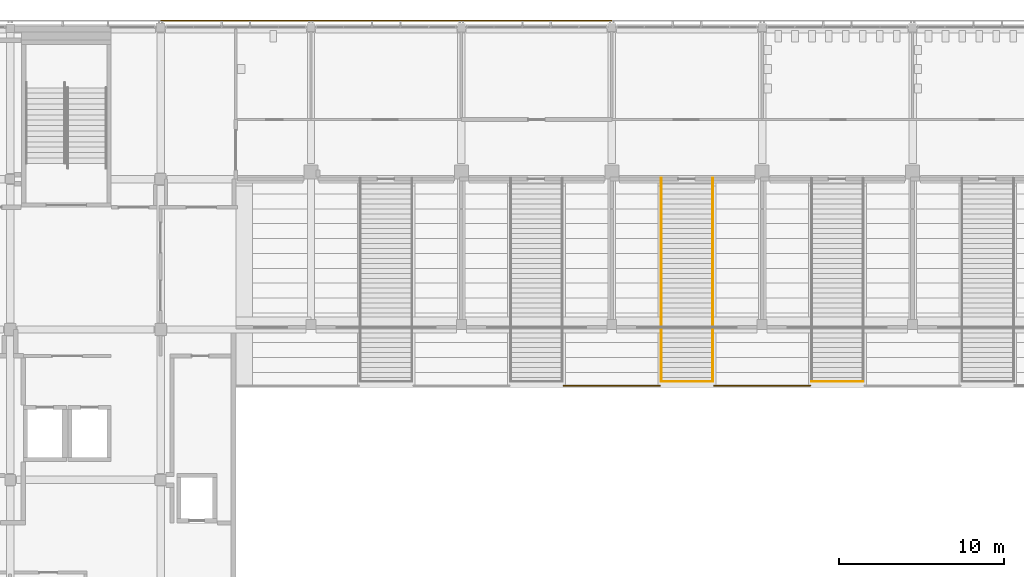
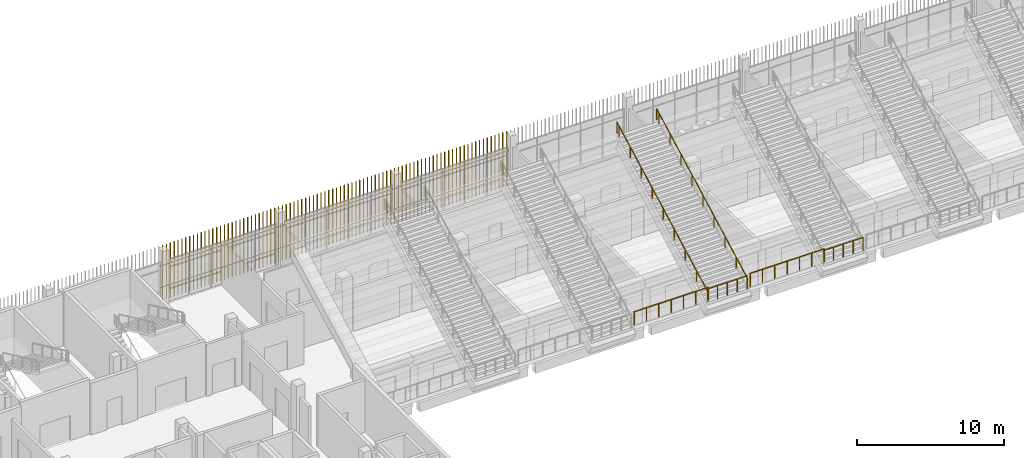
# One storey, part 126 of 139: 6 railings, 3 shading devices.
"""IFC4 building model written with IfcOpenShell, lengths in metres."""

from ifc_helpers import new_model, si_unit, direction, frame, origin, origin_2d, place, context, subcontext, project, spatial, rectangle, circle, extrude, material, type_object, element, save


model = new_model("IFC4")

# Units and contexts
model_context = context("Model", 3, precision=1e-05, world=origin(), true_north=direction((0.0, 1.0)))
body_context = subcontext(model_context, "Body", "Model", "MODEL_VIEW")
ifc_project = project(units=[si_unit("LENGTHUNIT", "METRE"), si_unit("AREAUNIT", "SQUARE_METRE"), si_unit("VOLUMEUNIT", "CUBIC_METRE"), si_unit("PLANEANGLEUNIT", "RADIAN"), si_unit("MASSUNIT", "GRAM", prefix="KILO")], contexts=[model_context])

# Site, building, storey
site_placement = place(None, origin())
site = spatial("IfcSite", under=ifc_project, at=site_placement, CompositionType="ELEMENT")
building_placement = place(site_placement, origin())
building = spatial("IfcBuilding", under=site, at=building_placement, Name="Shirokan Park Arena", CompositionType="ELEMENT")
storey_placement = place(building_placement, frame((0.0, 0.0, 15.469970703125)))
storey = spatial("IfcBuildingStorey", under=building, at=storey_placement, Name="L03", CompositionType="ELEMENT", Elevation=15.469970703125)

# Railings
ifc_material_1 = material(Name="Stainless steel", Category="steel")
railing_type_1 = type_object("IfcRailingType", Name="Aisle foot guard 1100", PredefinedType="GUARDRAIL", material=ifc_material_1)
railing_1_placement = place(storey_placement, frame((66.699951171875, 87.85009765625, 2.5400390625)))
element("IfcRailing", 1, at=railing_1_placement, inside=storey, type_object=railing_type_1, Name="Guard foot of vomitory stair N3 upper", PredefinedType="GUARDRAIL", context=body_context, shape_type="SweptSolid", body=[
    extrude(circle(Radius=0.02490234375, at=origin_2d()), frame((0.0, 0.0, 1.0771484375), z_axis=(1.0, 0.0, 0.0), x_axis=(0.0, 1.0, 0.0)), (0.0, 0.0, 1.0), 3.10009765625),
    extrude(circle(Radius=0.02490234375, at=origin_2d()), origin(), (0.0, 0.0, 1.0), 1.052001953125),
    extrude(circle(Radius=0.02490234375, at=origin_2d()), frame((0.77490234375, 0.0, 0.0)), (0.0, 0.0, 1.0), 1.052001953125),
    extrude(circle(Radius=0.02490234375, at=origin_2d()), frame((1.550048828125, 0.0, 0.0)), (0.0, 0.0, 1.0), 1.052001953125),
    extrude(circle(Radius=0.02490234375, at=origin_2d()), frame((2.3251953125, 0.0, 0.0)), (0.0, 0.0, 1.0), 1.052001953125),
    extrude(circle(Radius=0.02490234375, at=origin_2d()), frame((3.10009765625, 0.0, 0.0)), (0.0, 0.0, 1.0), 1.052001953125),
])
railing_2_placement = place(storey_placement, frame((75.800048828125, 87.85009765625, 2.5400390625)))
element("IfcRailing", 2, at=railing_2_placement, inside=storey, type_object=railing_type_1, Name="Guard foot of vomitory stair N4 upper", PredefinedType="GUARDRAIL", context=body_context, shape_type="SweptSolid", body=[
    extrude(circle(Radius=0.02490234375, at=origin_2d()), frame((0.0, 0.0, 1.0771484375), z_axis=(1.0, 0.0, 0.0), x_axis=(0.0, 1.0, 0.0)), (0.0, 0.0, 1.0), 3.099853515625),
    extrude(circle(Radius=0.02490234375, at=origin_2d()), origin(), (0.0, 0.0, 1.0), 1.052001953125),
    extrude(circle(Radius=0.02490234375, at=origin_2d()), frame((0.77490234375, 0.0, 0.0)), (0.0, 0.0, 1.0), 1.052001953125),
    extrude(circle(Radius=0.02490234375, at=origin_2d()), frame((1.5498046875, 0.0, 0.0)), (0.0, 0.0, 1.0), 1.052001953125),
    extrude(circle(Radius=0.02490234375, at=origin_2d()), frame((2.324951171875, 0.0, 0.0)), (0.0, 0.0, 1.0), 1.052001953125),
    extrude(circle(Radius=0.02490234375, at=origin_2d()), frame((3.099853515625, 0.0, 0.0)), (0.0, 0.0, 1.0), 1.052001953125),
])
railing_type_2 = type_object("IfcRailingType", Name="Aisle handrail 900", PredefinedType="HANDRAIL", material=ifc_material_1)
railing_3_placement = place(storey_placement, frame((66.68994140625, 87.85009765625, 2.5400390625)))
element("IfcRailing", 3, at=railing_3_placement, inside=storey, type_object=railing_type_2, Name="Handrail vomitory stair N3 upper", PredefinedType="HANDRAIL", context=body_context, shape_type="SweptSolid", body=[
    extrude(circle(Radius=0.02490234375, at=origin_2d()), frame((0.0, 0.0, 0.90185546875), z_axis=(0.0, 0.882341014787, 0.470610596591), x_axis=(-1.0, 0.0, 0.0)), (0.0, 0.0, 1.0), 1.699951171875),
    extrude(circle(Radius=0.02490234375, at=origin_2d()), frame((0.0, 1.5, 1.70166015625), z_axis=(0.0, 0.882341014787, 0.470610596591), x_axis=(-1.0, 0.0, 0.0)), (0.0, 0.0, 1.0), 1.699951171875),
    extrude(circle(Radius=0.02490234375, at=origin_2d()), frame((0.0, 3.0, 2.501953125), z_axis=(0.0, 0.88240064429, 0.470498781037), x_axis=(-1.0, 0.0, 0.0)), (0.0, 0.0, 1.0), 1.699951171875),
    extrude(circle(Radius=0.02490234375, at=origin_2d()), frame((0.0, 4.5, 3.3017578125), z_axis=(0.0, 0.882341014787, 0.470610596591), x_axis=(-1.0, 0.0, 0.0)), (0.0, 0.0, 1.0), 1.699951171875),
    extrude(circle(Radius=0.02490234375, at=origin_2d()), frame((0.0, 6.0, 4.1015625), z_axis=(0.0, 0.882341014787, 0.470610596591), x_axis=(-1.0, 0.0, 0.0)), (0.0, 0.0, 1.0), 1.699951171875),
    extrude(circle(Radius=0.02490234375, at=origin_2d()), frame((0.0, 7.5, 4.90185546875), z_axis=(0.0, 0.882341014787, 0.470610596591), x_axis=(-1.0, 0.0, 0.0)), (0.0, 0.0, 1.0), 1.699951171875),
    extrude(circle(Radius=0.02490234375, at=origin_2d()), frame((0.0, 9.0, 5.70166015625), z_axis=(0.0, 0.882341014787, 0.470610596591), x_axis=(-1.0, 0.0, 0.0)), (0.0, 0.0, 1.0), 1.699951171875),
    extrude(circle(Radius=0.02490234375, at=origin_2d()), frame((0.0, 10.5, 6.501953125), z_axis=(0.0, 0.88240064429, 0.470498781037), x_axis=(-1.0, 0.0, 0.0)), (0.0, 0.0, 1.0), 1.699951171875),
    extrude(circle(Radius=0.02490234375, at=origin_2d()), frame((0.0, 12.0, 7.3017578125), z_axis=(0.0, 0.882034613395, 0.471184614322), x_axis=(-1.0, 0.0, 0.0)), (0.0, 0.0, 1.0), 0.33984375),
    extrude(circle(Radius=0.02490234375, at=origin_2d()), origin(), (0.0, 0.0, 1.0), 0.876708984375),
    extrude(circle(Radius=0.02490234375, at=origin_2d()), frame((0.0, 1.5, 0.800048828125)), (0.0, 0.0, 1.0), 0.876708984375),
    extrude(circle(Radius=0.02490234375, at=origin_2d()), frame((0.0, 3.0, 1.60009765625)), (0.0, 0.0, 1.0), 0.876708984375),
    extrude(circle(Radius=0.02490234375, at=origin_2d()), frame((0.0, 4.5, 2.39990234375)), (0.0, 0.0, 1.0), 0.876708984375),
    extrude(circle(Radius=0.02490234375, at=origin_2d()), frame((0.0, 6.0, 3.199951171875)), (0.0, 0.0, 1.0), 0.876708984375),
    extrude(circle(Radius=0.02490234375, at=origin_2d()), frame((0.0, 7.5, 4.0)), (0.0, 0.0, 1.0), 0.876708984375),
    extrude(circle(Radius=0.02490234375, at=origin_2d()), frame((0.0, 9.0, 4.800048828125)), (0.0, 0.0, 1.0), 0.876708984375),
    extrude(circle(Radius=0.02490234375, at=origin_2d()), frame((0.0, 10.5, 5.60009765625)), (0.0, 0.0, 1.0), 0.876708984375),
    extrude(circle(Radius=0.02490234375, at=origin_2d()), frame((0.0, 12.0, 6.39990234375)), (0.0, 0.0, 1.0), 0.876708984375),
    extrude(circle(Radius=0.02490234375, at=origin_2d()), frame((0.0, 12.2998046875, 6.56005859375)), (0.0, 0.0, 1.0), 0.876708984375),
])
railing_4_placement = place(storey_placement, frame((69.81005859375, 87.85009765625, 2.5400390625)))
element("IfcRailing", 4, at=railing_4_placement, inside=storey, type_object=railing_type_2, Name="Handrail vomitory stair N3 upper", PredefinedType="HANDRAIL", context=body_context, shape_type="SweptSolid", body=[
    extrude(circle(Radius=0.02490234375, at=origin_2d()), frame((0.0, 0.0, 0.90185546875), z_axis=(0.0, 0.882341014787, 0.470610596591), x_axis=(-1.0, 0.0, 0.0)), (0.0, 0.0, 1.0), 1.699951171875),
    extrude(circle(Radius=0.02490234375, at=origin_2d()), frame((0.0, 1.5, 1.70166015625), z_axis=(0.0, 0.882341014787, 0.470610596591), x_axis=(-1.0, 0.0, 0.0)), (0.0, 0.0, 1.0), 1.699951171875),
    extrude(circle(Radius=0.02490234375, at=origin_2d()), frame((0.0, 3.0, 2.501953125), z_axis=(0.0, 0.88240064429, 0.470498781037), x_axis=(-1.0, 0.0, 0.0)), (0.0, 0.0, 1.0), 1.699951171875),
    extrude(circle(Radius=0.02490234375, at=origin_2d()), frame((0.0, 4.5, 3.3017578125), z_axis=(0.0, 0.882341014787, 0.470610596591), x_axis=(-1.0, 0.0, 0.0)), (0.0, 0.0, 1.0), 1.699951171875),
    extrude(circle(Radius=0.02490234375, at=origin_2d()), frame((0.0, 6.0, 4.1015625), z_axis=(0.0, 0.882341014787, 0.470610596591), x_axis=(-1.0, 0.0, 0.0)), (0.0, 0.0, 1.0), 1.699951171875),
    extrude(circle(Radius=0.02490234375, at=origin_2d()), frame((0.0, 7.5, 4.90185546875), z_axis=(0.0, 0.882341014787, 0.470610596591), x_axis=(-1.0, 0.0, 0.0)), (0.0, 0.0, 1.0), 1.699951171875),
    extrude(circle(Radius=0.02490234375, at=origin_2d()), frame((0.0, 9.0, 5.70166015625), z_axis=(0.0, 0.882341014787, 0.470610596591), x_axis=(-1.0, 0.0, 0.0)), (0.0, 0.0, 1.0), 1.699951171875),
    extrude(circle(Radius=0.02490234375, at=origin_2d()), frame((0.0, 10.5, 6.501953125), z_axis=(0.0, 0.88240064429, 0.470498781037), x_axis=(-1.0, 0.0, 0.0)), (0.0, 0.0, 1.0), 1.699951171875),
    extrude(circle(Radius=0.02490234375, at=origin_2d()), frame((0.0, 12.0, 7.3017578125), z_axis=(0.0, 0.882034613395, 0.471184614322), x_axis=(-1.0, 0.0, 0.0)), (0.0, 0.0, 1.0), 0.33984375),
    extrude(circle(Radius=0.02490234375, at=origin_2d()), origin(), (0.0, 0.0, 1.0), 0.876708984375),
    extrude(circle(Radius=0.02490234375, at=origin_2d()), frame((0.0, 1.5, 0.800048828125)), (0.0, 0.0, 1.0), 0.876708984375),
    extrude(circle(Radius=0.02490234375, at=origin_2d()), frame((0.0, 3.0, 1.60009765625)), (0.0, 0.0, 1.0), 0.876708984375),
    extrude(circle(Radius=0.02490234375, at=origin_2d()), frame((0.0, 4.5, 2.39990234375)), (0.0, 0.0, 1.0), 0.876708984375),
    extrude(circle(Radius=0.02490234375, at=origin_2d()), frame((0.0, 6.0, 3.199951171875)), (0.0, 0.0, 1.0), 0.876708984375),
    extrude(circle(Radius=0.02490234375, at=origin_2d()), frame((0.0, 7.5, 4.0)), (0.0, 0.0, 1.0), 0.876708984375),
    extrude(circle(Radius=0.02490234375, at=origin_2d()), frame((0.0, 9.0, 4.800048828125)), (0.0, 0.0, 1.0), 0.876708984375),
    extrude(circle(Radius=0.02490234375, at=origin_2d()), frame((0.0, 10.5, 5.60009765625)), (0.0, 0.0, 1.0), 0.876708984375),
    extrude(circle(Radius=0.02490234375, at=origin_2d()), frame((0.0, 12.0, 6.39990234375)), (0.0, 0.0, 1.0), 0.876708984375),
    extrude(circle(Radius=0.02490234375, at=origin_2d()), frame((0.0, 12.2998046875, 6.56005859375)), (0.0, 0.0, 1.0), 0.876708984375),
])
railing_type_3 = type_object("IfcRailingType", Name="Crowd barrier 1100", PredefinedType="GUARDRAIL", material=ifc_material_1)
for number, where, name in (
    (5, (60.800048828125, 87.60009765625, 2.860107421875), "Crowd barrier N3 upper tier"),
    (6, (69.89990234375, 87.60009765625, 2.860107421875), "Crowd barrier N4 upper tier"),
):
    element("IfcRailing", number, at=place(storey_placement, frame(where)), inside=storey, type_object=railing_type_3, Name=name, PredefinedType="GUARDRAIL", context=body_context, shape_type="SweptSolid", body=[
        extrude(circle(Radius=0.030029296875, at=origin_2d()), frame((0.0, 0.0, 1.072021484375), z_axis=(1.0, 0.0, 0.0), x_axis=(0.0, 1.0, 0.0)), (0.0, 0.0, 1.0), 5.800048828125),
        extrude(circle(Radius=0.030029296875, at=origin_2d()), origin(), (0.0, 0.0, 1.0), 1.0419921875),
        extrude(circle(Radius=0.030029296875, at=origin_2d()), frame((0.966796875, 0.0, 0.0)), (0.0, 0.0, 1.0), 1.0419921875),
        extrude(circle(Radius=0.030029296875, at=origin_2d()), frame((1.933349609375, 0.0, 0.0)), (0.0, 0.0, 1.0), 1.0419921875),
        extrude(circle(Radius=0.030029296875, at=origin_2d()), frame((2.89990234375, 0.0, 0.0)), (0.0, 0.0, 1.0), 1.0419921875),
        extrude(circle(Radius=0.030029296875, at=origin_2d()), frame((3.86669921875, 0.0, 0.0)), (0.0, 0.0, 1.0), 1.0419921875),
        extrude(circle(Radius=0.030029296875, at=origin_2d()), frame((4.83349609375, 0.0, 0.0)), (0.0, 0.0, 1.0), 1.0419921875),
        extrude(circle(Radius=0.030029296875, at=origin_2d()), frame((5.800048828125, 0.0, 0.0)), (0.0, 0.0, 1.0), 1.0419921875),
    ])

# Shading devices
ifc_material_2 = material(Name="Timber louvre veil (cedar)", Category="wood")
shading_device_type = type_object("IfcShadingDeviceType", Name="Timber louvre veil panel", PredefinedType="JALOUSIE", material=ifc_material_2)
shading_device_1_placement = place(storey_placement, origin())
element("IfcShadingDevice", 7, at=shading_device_1_placement, inside=storey, type_object=shading_device_type, Name="Timber louvre veil north bay 10 L03", PredefinedType="JALOUSIE", context=body_context, shape_type="SweptSolid", body=[
    extrude(rectangle(XDim=0.050048828125, YDim=0.080078125, at=origin_2d()), frame((63.54833984375, 109.68505859375, 0.0), z_axis=(0.0, 0.0, 1.0), x_axis=(-1.0, 0.0, 0.0)), (0.0, 0.0, 1.0), 4.550048828125),
    extrude(rectangle(XDim=0.050048828125, YDim=0.080078125, at=origin_2d()), frame((63.2451171875, 109.68505859375, 0.0), z_axis=(0.0, 0.0, 1.0), x_axis=(-1.0, 0.0, 0.0)), (0.0, 0.0, 1.0), 4.550048828125),
    extrude(rectangle(XDim=0.050048828125, YDim=0.080078125, at=origin_2d()), frame((62.941650390625, 109.68505859375, 0.0), z_axis=(0.0, 0.0, 1.0), x_axis=(-1.0, 0.0, 0.0)), (0.0, 0.0, 1.0), 4.550048828125),
    extrude(rectangle(XDim=0.050048828125, YDim=0.080078125, at=origin_2d()), frame((62.638427734375, 109.68505859375, 0.0), z_axis=(0.0, 0.0, 1.0), x_axis=(-1.0, 0.0, 0.0)), (0.0, 0.0, 1.0), 4.550048828125),
    extrude(rectangle(XDim=0.050048828125, YDim=0.080078125, at=origin_2d()), frame((62.3349609375, 109.68505859375, 0.0), z_axis=(0.0, 0.0, 1.0), x_axis=(-1.0, 0.0, 0.0)), (0.0, 0.0, 1.0), 4.550048828125),
    extrude(rectangle(XDim=0.050048828125, YDim=0.080078125, at=origin_2d()), frame((62.03173828125, 109.68505859375, 0.0), z_axis=(0.0, 0.0, 1.0), x_axis=(-1.0, 0.0, 0.0)), (0.0, 0.0, 1.0), 4.550048828125),
    extrude(rectangle(XDim=0.050048828125, YDim=0.080078125, at=origin_2d()), frame((61.728271484375, 109.68505859375, 0.0), z_axis=(0.0, 0.0, 1.0), x_axis=(-1.0, 0.0, 0.0)), (0.0, 0.0, 1.0), 4.550048828125),
    extrude(rectangle(XDim=0.050048828125, YDim=0.080078125, at=origin_2d()), frame((61.425048828125, 109.68505859375, 0.0), z_axis=(0.0, 0.0, 1.0), x_axis=(-1.0, 0.0, 0.0)), (0.0, 0.0, 1.0), 4.550048828125),
    extrude(rectangle(XDim=0.050048828125, YDim=0.080078125, at=origin_2d()), frame((61.12158203125, 109.68505859375, 0.0), z_axis=(0.0, 0.0, 1.0), x_axis=(-1.0, 0.0, 0.0)), (0.0, 0.0, 1.0), 4.550048828125),
    extrude(rectangle(XDim=0.050048828125, YDim=0.080078125, at=origin_2d()), frame((60.818359375, 109.68505859375, 0.0), z_axis=(0.0, 0.0, 1.0), x_axis=(-1.0, 0.0, 0.0)), (0.0, 0.0, 1.0), 4.550048828125),
    extrude(rectangle(XDim=0.050048828125, YDim=0.080078125, at=origin_2d()), frame((60.514892578125, 109.68505859375, 0.0), z_axis=(0.0, 0.0, 1.0), x_axis=(-1.0, 0.0, 0.0)), (0.0, 0.0, 1.0), 4.550048828125),
    extrude(rectangle(XDim=0.050048828125, YDim=0.080078125, at=origin_2d()), frame((60.211669921875, 109.68505859375, 0.0), z_axis=(0.0, 0.0, 1.0), x_axis=(-1.0, 0.0, 0.0)), (0.0, 0.0, 1.0), 4.550048828125),
    extrude(rectangle(XDim=0.050048828125, YDim=0.080078125, at=origin_2d()), frame((59.908447265625, 109.68505859375, 0.0), z_axis=(0.0, 0.0, 1.0), x_axis=(-1.0, 0.0, 0.0)), (0.0, 0.0, 1.0), 4.550048828125),
    extrude(rectangle(XDim=0.050048828125, YDim=0.080078125, at=origin_2d()), frame((59.60498046875, 109.68505859375, 0.0), z_axis=(0.0, 0.0, 1.0), x_axis=(-1.0, 0.0, 0.0)), (0.0, 0.0, 1.0), 4.550048828125),
    extrude(rectangle(XDim=0.050048828125, YDim=0.080078125, at=origin_2d()), frame((59.3017578125, 109.68505859375, 0.0), z_axis=(0.0, 0.0, 1.0), x_axis=(-1.0, 0.0, 0.0)), (0.0, 0.0, 1.0), 4.550048828125),
    extrude(rectangle(XDim=0.050048828125, YDim=0.080078125, at=origin_2d()), frame((58.998291015625, 109.68505859375, 0.0), z_axis=(0.0, 0.0, 1.0), x_axis=(-1.0, 0.0, 0.0)), (0.0, 0.0, 1.0), 4.550048828125),
    extrude(rectangle(XDim=0.050048828125, YDim=0.080078125, at=origin_2d()), frame((58.695068359375, 109.68505859375, 0.0), z_axis=(0.0, 0.0, 1.0), x_axis=(-1.0, 0.0, 0.0)), (0.0, 0.0, 1.0), 4.550048828125),
    extrude(rectangle(XDim=0.050048828125, YDim=0.080078125, at=origin_2d()), frame((58.3916015625, 109.68505859375, 0.0), z_axis=(0.0, 0.0, 1.0), x_axis=(-1.0, 0.0, 0.0)), (0.0, 0.0, 1.0), 4.550048828125),
    extrude(rectangle(XDim=0.050048828125, YDim=0.080078125, at=origin_2d()), frame((58.08837890625, 109.68505859375, 0.0), z_axis=(0.0, 0.0, 1.0), x_axis=(-1.0, 0.0, 0.0)), (0.0, 0.0, 1.0), 4.550048828125),
    extrude(rectangle(XDim=0.050048828125, YDim=0.080078125, at=origin_2d()), frame((57.784912109375, 109.68505859375, 0.0), z_axis=(0.0, 0.0, 1.0), x_axis=(-1.0, 0.0, 0.0)), (0.0, 0.0, 1.0), 4.550048828125),
    extrude(rectangle(XDim=0.050048828125, YDim=0.080078125, at=origin_2d()), frame((57.481689453125, 109.68505859375, 0.0), z_axis=(0.0, 0.0, 1.0), x_axis=(-1.0, 0.0, 0.0)), (0.0, 0.0, 1.0), 4.550048828125),
    extrude(rectangle(XDim=0.050048828125, YDim=0.080078125, at=origin_2d()), frame((57.17822265625, 109.68505859375, 0.0), z_axis=(0.0, 0.0, 1.0), x_axis=(-1.0, 0.0, 0.0)), (0.0, 0.0, 1.0), 4.550048828125),
    extrude(rectangle(XDim=0.050048828125, YDim=0.080078125, at=origin_2d()), frame((56.875, 109.68505859375, 0.0), z_axis=(0.0, 0.0, 1.0), x_axis=(-1.0, 0.0, 0.0)), (0.0, 0.0, 1.0), 4.550048828125),
    extrude(rectangle(XDim=0.050048828125, YDim=0.080078125, at=origin_2d()), frame((56.57177734375, 109.68505859375, 0.0), z_axis=(0.0, 0.0, 1.0), x_axis=(-1.0, 0.0, 0.0)), (0.0, 0.0, 1.0), 4.550048828125),
    extrude(rectangle(XDim=0.050048828125, YDim=0.080078125, at=origin_2d()), frame((56.268310546875, 109.68505859375, 0.0), z_axis=(0.0, 0.0, 1.0), x_axis=(-1.0, 0.0, 0.0)), (0.0, 0.0, 1.0), 4.550048828125),
    extrude(rectangle(XDim=0.050048828125, YDim=0.080078125, at=origin_2d()), frame((55.965087890625, 109.68505859375, 0.0), z_axis=(0.0, 0.0, 1.0), x_axis=(-1.0, 0.0, 0.0)), (0.0, 0.0, 1.0), 4.550048828125),
    extrude(rectangle(XDim=0.050048828125, YDim=0.080078125, at=origin_2d()), frame((55.66162109375, 109.68505859375, 0.0), z_axis=(0.0, 0.0, 1.0), x_axis=(-1.0, 0.0, 0.0)), (0.0, 0.0, 1.0), 4.550048828125),
    extrude(rectangle(XDim=0.050048828125, YDim=0.080078125, at=origin_2d()), frame((55.3583984375, 109.68505859375, 0.0), z_axis=(0.0, 0.0, 1.0), x_axis=(-1.0, 0.0, 0.0)), (0.0, 0.0, 1.0), 4.550048828125),
    extrude(rectangle(XDim=0.050048828125, YDim=0.080078125, at=origin_2d()), frame((55.054931640625, 109.68505859375, 0.0), z_axis=(0.0, 0.0, 1.0), x_axis=(-1.0, 0.0, 0.0)), (0.0, 0.0, 1.0), 4.550048828125),
    extrude(rectangle(XDim=0.050048828125, YDim=0.080078125, at=origin_2d()), frame((54.751708984375, 109.68505859375, 0.0), z_axis=(0.0, 0.0, 1.0), x_axis=(-1.0, 0.0, 0.0)), (0.0, 0.0, 1.0), 4.550048828125),
    extrude(rectangle(XDim=9.10009765625, YDim=0.050048828125, at=origin_2d()), frame((59.14990234375, 109.669921875, 1.06005859375), z_axis=(0.0, 0.0, 1.0), x_axis=(-1.0, 0.0, 0.0)), (0.0, 0.0, 1.0), 0.080078125),
    extrude(rectangle(XDim=9.10009765625, YDim=0.050048828125, at=origin_2d()), frame((59.14990234375, 109.669921875, 2.860107421875), z_axis=(0.0, 0.0, 1.0), x_axis=(-1.0, 0.0, 0.0)), (0.0, 0.0, 1.0), 0.080078125),
])
shading_device_2_placement = place(storey_placement, origin())
element("IfcShadingDevice", 8, at=shading_device_2_placement, inside=storey, type_object=shading_device_type, Name="Timber louvre veil north bay 11 L03", PredefinedType="JALOUSIE", context=body_context, shape_type="SweptSolid", body=[
    extrude(rectangle(XDim=0.050048828125, YDim=0.080078125, at=origin_2d()), frame((54.4482421875, 109.68505859375, 0.0), z_axis=(0.0, 0.0, 1.0), x_axis=(-1.0, 0.0, 0.0)), (0.0, 0.0, 1.0), 4.550048828125),
    extrude(rectangle(XDim=0.050048828125, YDim=0.080078125, at=origin_2d()), frame((54.14501953125, 109.68505859375, 0.0), z_axis=(0.0, 0.0, 1.0), x_axis=(-1.0, 0.0, 0.0)), (0.0, 0.0, 1.0), 4.550048828125),
    extrude(rectangle(XDim=0.050048828125, YDim=0.080078125, at=origin_2d()), frame((53.841552734375, 109.68505859375, 0.0), z_axis=(0.0, 0.0, 1.0), x_axis=(-1.0, 0.0, 0.0)), (0.0, 0.0, 1.0), 4.550048828125),
    extrude(rectangle(XDim=0.050048828125, YDim=0.080078125, at=origin_2d()), frame((53.538330078125, 109.68505859375, 0.0), z_axis=(0.0, 0.0, 1.0), x_axis=(-1.0, 0.0, 0.0)), (0.0, 0.0, 1.0), 4.550048828125),
    extrude(rectangle(XDim=0.050048828125, YDim=0.080078125, at=origin_2d()), frame((53.235107421875, 109.68505859375, 0.0), z_axis=(0.0, 0.0, 1.0), x_axis=(-1.0, 0.0, 0.0)), (0.0, 0.0, 1.0), 4.550048828125),
    extrude(rectangle(XDim=0.050048828125, YDim=0.080078125, at=origin_2d()), frame((52.931640625, 109.68505859375, 0.0), z_axis=(0.0, 0.0, 1.0), x_axis=(-1.0, 0.0, 0.0)), (0.0, 0.0, 1.0), 4.550048828125),
    extrude(rectangle(XDim=0.050048828125, YDim=0.080078125, at=origin_2d()), frame((52.62841796875, 109.68505859375, 0.0), z_axis=(0.0, 0.0, 1.0), x_axis=(-1.0, 0.0, 0.0)), (0.0, 0.0, 1.0), 4.550048828125),
    extrude(rectangle(XDim=0.050048828125, YDim=0.080078125, at=origin_2d()), frame((52.324951171875, 109.68505859375, 0.0), z_axis=(0.0, 0.0, 1.0), x_axis=(-1.0, 0.0, 0.0)), (0.0, 0.0, 1.0), 4.550048828125),
    extrude(rectangle(XDim=0.050048828125, YDim=0.080078125, at=origin_2d()), frame((52.021728515625, 109.68505859375, 0.0), z_axis=(0.0, 0.0, 1.0), x_axis=(-1.0, 0.0, 0.0)), (0.0, 0.0, 1.0), 4.550048828125),
    extrude(rectangle(XDim=0.050048828125, YDim=0.080078125, at=origin_2d()), frame((51.71826171875, 109.68505859375, 0.0), z_axis=(0.0, 0.0, 1.0), x_axis=(-1.0, 0.0, 0.0)), (0.0, 0.0, 1.0), 4.550048828125),
    extrude(rectangle(XDim=0.050048828125, YDim=0.080078125, at=origin_2d()), frame((51.4150390625, 109.68505859375, 0.0), z_axis=(0.0, 0.0, 1.0), x_axis=(-1.0, 0.0, 0.0)), (0.0, 0.0, 1.0), 4.550048828125),
    extrude(rectangle(XDim=0.050048828125, YDim=0.080078125, at=origin_2d()), frame((51.111572265625, 109.68505859375, 0.0), z_axis=(0.0, 0.0, 1.0), x_axis=(-1.0, 0.0, 0.0)), (0.0, 0.0, 1.0), 4.550048828125),
    extrude(rectangle(XDim=0.050048828125, YDim=0.080078125, at=origin_2d()), frame((50.808349609375, 109.68505859375, 0.0), z_axis=(0.0, 0.0, 1.0), x_axis=(-1.0, 0.0, 0.0)), (0.0, 0.0, 1.0), 4.550048828125),
    extrude(rectangle(XDim=0.050048828125, YDim=0.080078125, at=origin_2d()), frame((50.5048828125, 109.68505859375, 0.0), z_axis=(0.0, 0.0, 1.0), x_axis=(-1.0, 0.0, 0.0)), (0.0, 0.0, 1.0), 4.550048828125),
    extrude(rectangle(XDim=0.050048828125, YDim=0.080078125, at=origin_2d()), frame((50.20166015625, 109.68505859375, 0.0), z_axis=(0.0, 0.0, 1.0), x_axis=(-1.0, 0.0, 0.0)), (0.0, 0.0, 1.0), 4.550048828125),
    extrude(rectangle(XDim=0.050048828125, YDim=0.080078125, at=origin_2d()), frame((49.8984375, 109.68505859375, 0.0), z_axis=(0.0, 0.0, 1.0), x_axis=(-1.0, 0.0, 0.0)), (0.0, 0.0, 1.0), 4.550048828125),
    extrude(rectangle(XDim=0.050048828125, YDim=0.080078125, at=origin_2d()), frame((49.594970703125, 109.68505859375, 0.0), z_axis=(0.0, 0.0, 1.0), x_axis=(-1.0, 0.0, 0.0)), (0.0, 0.0, 1.0), 4.550048828125),
    extrude(rectangle(XDim=0.050048828125, YDim=0.080078125, at=origin_2d()), frame((49.291748046875, 109.68505859375, 0.0), z_axis=(0.0, 0.0, 1.0), x_axis=(-1.0, 0.0, 0.0)), (0.0, 0.0, 1.0), 4.550048828125),
    extrude(rectangle(XDim=0.050048828125, YDim=0.080078125, at=origin_2d()), frame((48.98828125, 109.68505859375, 0.0), z_axis=(0.0, 0.0, 1.0), x_axis=(-1.0, 0.0, 0.0)), (0.0, 0.0, 1.0), 4.550048828125),
    extrude(rectangle(XDim=0.050048828125, YDim=0.080078125, at=origin_2d()), frame((48.68505859375, 109.68505859375, 0.0), z_axis=(0.0, 0.0, 1.0), x_axis=(-1.0, 0.0, 0.0)), (0.0, 0.0, 1.0), 4.550048828125),
    extrude(rectangle(XDim=0.050048828125, YDim=0.080078125, at=origin_2d()), frame((48.381591796875, 109.68505859375, 0.0), z_axis=(0.0, 0.0, 1.0), x_axis=(-1.0, 0.0, 0.0)), (0.0, 0.0, 1.0), 4.550048828125),
    extrude(rectangle(XDim=0.050048828125, YDim=0.080078125, at=origin_2d()), frame((48.078369140625, 109.68505859375, 0.0), z_axis=(0.0, 0.0, 1.0), x_axis=(-1.0, 0.0, 0.0)), (0.0, 0.0, 1.0), 4.550048828125),
    extrude(rectangle(XDim=0.050048828125, YDim=0.080078125, at=origin_2d()), frame((47.77490234375, 109.68505859375, 0.0), z_axis=(0.0, 0.0, 1.0), x_axis=(-1.0, 0.0, 0.0)), (0.0, 0.0, 1.0), 4.550048828125),
    extrude(rectangle(XDim=0.050048828125, YDim=0.080078125, at=origin_2d()), frame((47.4716796875, 109.68505859375, 0.0), z_axis=(0.0, 0.0, 1.0), x_axis=(-1.0, 0.0, 0.0)), (0.0, 0.0, 1.0), 4.550048828125),
    extrude(rectangle(XDim=0.050048828125, YDim=0.080078125, at=origin_2d()), frame((47.168212890625, 109.68505859375, 0.0), z_axis=(0.0, 0.0, 1.0), x_axis=(-1.0, 0.0, 0.0)), (0.0, 0.0, 1.0), 4.550048828125),
    extrude(rectangle(XDim=0.050048828125, YDim=0.080078125, at=origin_2d()), frame((46.864990234375, 109.68505859375, 0.0), z_axis=(0.0, 0.0, 1.0), x_axis=(-1.0, 0.0, 0.0)), (0.0, 0.0, 1.0), 4.550048828125),
    extrude(rectangle(XDim=0.050048828125, YDim=0.080078125, at=origin_2d()), frame((46.561767578125, 109.68505859375, 0.0), z_axis=(0.0, 0.0, 1.0), x_axis=(-1.0, 0.0, 0.0)), (0.0, 0.0, 1.0), 4.550048828125),
    extrude(rectangle(XDim=0.050048828125, YDim=0.080078125, at=origin_2d()), frame((46.25830078125, 109.68505859375, 0.0), z_axis=(0.0, 0.0, 1.0), x_axis=(-1.0, 0.0, 0.0)), (0.0, 0.0, 1.0), 4.550048828125),
    extrude(rectangle(XDim=0.050048828125, YDim=0.080078125, at=origin_2d()), frame((45.955078125, 109.68505859375, 0.0), z_axis=(0.0, 0.0, 1.0), x_axis=(-1.0, 0.0, 0.0)), (0.0, 0.0, 1.0), 4.550048828125),
    extrude(rectangle(XDim=0.050048828125, YDim=0.080078125, at=origin_2d()), frame((45.651611328125, 109.68505859375, 0.0), z_axis=(0.0, 0.0, 1.0), x_axis=(-1.0, 0.0, 0.0)), (0.0, 0.0, 1.0), 4.550048828125),
    extrude(rectangle(XDim=9.10009765625, YDim=0.050048828125, at=origin_2d()), frame((50.050048828125, 109.669921875, 1.06005859375), z_axis=(0.0, 0.0, 1.0), x_axis=(-1.0, 0.0, 0.0)), (0.0, 0.0, 1.0), 0.080078125),
    extrude(rectangle(XDim=9.10009765625, YDim=0.050048828125, at=origin_2d()), frame((50.050048828125, 109.669921875, 2.860107421875), z_axis=(0.0, 0.0, 1.0), x_axis=(-1.0, 0.0, 0.0)), (0.0, 0.0, 1.0), 0.080078125),
])
shading_device_3_placement = place(storey_placement, origin())
element("IfcShadingDevice", 9, at=shading_device_3_placement, inside=storey, type_object=shading_device_type, Name="Timber louvre veil north bay 12 L03", PredefinedType="JALOUSIE", context=body_context, shape_type="SweptSolid", body=[
    extrude(rectangle(XDim=0.050048828125, YDim=0.080078125, at=origin_2d()), frame((45.348388671875, 109.68505859375, 0.0), z_axis=(0.0, 0.0, 1.0), x_axis=(-1.0, 0.0, 0.0)), (0.0, 0.0, 1.0), 4.550048828125),
    extrude(rectangle(XDim=0.050048828125, YDim=0.080078125, at=origin_2d()), frame((45.044921875, 109.68505859375, 0.0), z_axis=(0.0, 0.0, 1.0), x_axis=(-1.0, 0.0, 0.0)), (0.0, 0.0, 1.0), 4.550048828125),
    extrude(rectangle(XDim=0.050048828125, YDim=0.080078125, at=origin_2d()), frame((44.74169921875, 109.68505859375, 0.0), z_axis=(0.0, 0.0, 1.0), x_axis=(-1.0, 0.0, 0.0)), (0.0, 0.0, 1.0), 4.550048828125),
    extrude(rectangle(XDim=0.050048828125, YDim=0.080078125, at=origin_2d()), frame((44.438232421875, 109.68505859375, 0.0), z_axis=(0.0, 0.0, 1.0), x_axis=(-1.0, 0.0, 0.0)), (0.0, 0.0, 1.0), 4.550048828125),
    extrude(rectangle(XDim=0.050048828125, YDim=0.080078125, at=origin_2d()), frame((44.135009765625, 109.68505859375, 0.0), z_axis=(0.0, 0.0, 1.0), x_axis=(-1.0, 0.0, 0.0)), (0.0, 0.0, 1.0), 4.550048828125),
    extrude(rectangle(XDim=0.050048828125, YDim=0.080078125, at=origin_2d()), frame((43.831787109375, 109.68505859375, 0.0), z_axis=(0.0, 0.0, 1.0), x_axis=(-1.0, 0.0, 0.0)), (0.0, 0.0, 1.0), 4.550048828125),
    extrude(rectangle(XDim=0.050048828125, YDim=0.080078125, at=origin_2d()), frame((43.5283203125, 109.68505859375, 0.0), z_axis=(0.0, 0.0, 1.0), x_axis=(-1.0, 0.0, 0.0)), (0.0, 0.0, 1.0), 4.550048828125),
    extrude(rectangle(XDim=0.050048828125, YDim=0.080078125, at=origin_2d()), frame((43.22509765625, 109.68505859375, 0.0), z_axis=(0.0, 0.0, 1.0), x_axis=(-1.0, 0.0, 0.0)), (0.0, 0.0, 1.0), 4.550048828125),
    extrude(rectangle(XDim=0.050048828125, YDim=0.080078125, at=origin_2d()), frame((42.921630859375, 109.68505859375, 0.0), z_axis=(0.0, 0.0, 1.0), x_axis=(-1.0, 0.0, 0.0)), (0.0, 0.0, 1.0), 4.550048828125),
    extrude(rectangle(XDim=0.050048828125, YDim=0.080078125, at=origin_2d()), frame((42.618408203125, 109.68505859375, 0.0), z_axis=(0.0, 0.0, 1.0), x_axis=(-1.0, 0.0, 0.0)), (0.0, 0.0, 1.0), 4.550048828125),
    extrude(rectangle(XDim=0.050048828125, YDim=0.080078125, at=origin_2d()), frame((42.31494140625, 109.68505859375, 0.0), z_axis=(0.0, 0.0, 1.0), x_axis=(-1.0, 0.0, 0.0)), (0.0, 0.0, 1.0), 4.550048828125),
    extrude(rectangle(XDim=0.050048828125, YDim=0.080078125, at=origin_2d()), frame((42.01171875, 109.68505859375, 0.0), z_axis=(0.0, 0.0, 1.0), x_axis=(-1.0, 0.0, 0.0)), (0.0, 0.0, 1.0), 4.550048828125),
    extrude(rectangle(XDim=0.050048828125, YDim=0.080078125, at=origin_2d()), frame((41.708251953125, 109.68505859375, 0.0), z_axis=(0.0, 0.0, 1.0), x_axis=(-1.0, 0.0, 0.0)), (0.0, 0.0, 1.0), 4.550048828125),
    extrude(rectangle(XDim=0.050048828125, YDim=0.080078125, at=origin_2d()), frame((41.405029296875, 109.68505859375, 0.0), z_axis=(0.0, 0.0, 1.0), x_axis=(-1.0, 0.0, 0.0)), (0.0, 0.0, 1.0), 4.550048828125),
    extrude(rectangle(XDim=0.050048828125, YDim=0.080078125, at=origin_2d()), frame((41.1015625, 109.68505859375, 0.0), z_axis=(0.0, 0.0, 1.0), x_axis=(-1.0, 0.0, 0.0)), (0.0, 0.0, 1.0), 4.550048828125),
    extrude(rectangle(XDim=0.050048828125, YDim=0.080078125, at=origin_2d()), frame((40.79833984375, 109.68505859375, 0.0), z_axis=(0.0, 0.0, 1.0), x_axis=(-1.0, 0.0, 0.0)), (0.0, 0.0, 1.0), 4.550048828125),
    extrude(rectangle(XDim=0.050048828125, YDim=0.080078125, at=origin_2d()), frame((40.4951171875, 109.68505859375, 0.0), z_axis=(0.0, 0.0, 1.0), x_axis=(-1.0, 0.0, 0.0)), (0.0, 0.0, 1.0), 4.550048828125),
    extrude(rectangle(XDim=0.050048828125, YDim=0.080078125, at=origin_2d()), frame((40.191650390625, 109.68505859375, 0.0), z_axis=(0.0, 0.0, 1.0), x_axis=(-1.0, 0.0, 0.0)), (0.0, 0.0, 1.0), 4.550048828125),
    extrude(rectangle(XDim=0.050048828125, YDim=0.080078125, at=origin_2d()), frame((39.888427734375, 109.68505859375, 0.0), z_axis=(0.0, 0.0, 1.0), x_axis=(-1.0, 0.0, 0.0)), (0.0, 0.0, 1.0), 4.550048828125),
    extrude(rectangle(XDim=0.050048828125, YDim=0.080078125, at=origin_2d()), frame((39.5849609375, 109.68505859375, 0.0), z_axis=(0.0, 0.0, 1.0), x_axis=(-1.0, 0.0, 0.0)), (0.0, 0.0, 1.0), 4.550048828125),
    extrude(rectangle(XDim=0.050048828125, YDim=0.080078125, at=origin_2d()), frame((39.28173828125, 109.68505859375, 0.0), z_axis=(0.0, 0.0, 1.0), x_axis=(-1.0, 0.0, 0.0)), (0.0, 0.0, 1.0), 4.550048828125),
    extrude(rectangle(XDim=0.050048828125, YDim=0.080078125, at=origin_2d()), frame((38.978271484375, 109.68505859375, 0.0), z_axis=(0.0, 0.0, 1.0), x_axis=(-1.0, 0.0, 0.0)), (0.0, 0.0, 1.0), 4.550048828125),
    extrude(rectangle(XDim=0.050048828125, YDim=0.080078125, at=origin_2d()), frame((38.675048828125, 109.68505859375, 0.0), z_axis=(0.0, 0.0, 1.0), x_axis=(-1.0, 0.0, 0.0)), (0.0, 0.0, 1.0), 4.550048828125),
    extrude(rectangle(XDim=0.050048828125, YDim=0.080078125, at=origin_2d()), frame((38.37158203125, 109.68505859375, 0.0), z_axis=(0.0, 0.0, 1.0), x_axis=(-1.0, 0.0, 0.0)), (0.0, 0.0, 1.0), 4.550048828125),
    extrude(rectangle(XDim=0.050048828125, YDim=0.080078125, at=origin_2d()), frame((38.068359375, 109.68505859375, 0.0), z_axis=(0.0, 0.0, 1.0), x_axis=(-1.0, 0.0, 0.0)), (0.0, 0.0, 1.0), 4.550048828125),
    extrude(rectangle(XDim=0.050048828125, YDim=0.080078125, at=origin_2d()), frame((37.764892578125, 109.68505859375, 0.0), z_axis=(0.0, 0.0, 1.0), x_axis=(-1.0, 0.0, 0.0)), (0.0, 0.0, 1.0), 4.550048828125),
    extrude(rectangle(XDim=0.050048828125, YDim=0.080078125, at=origin_2d()), frame((37.461669921875, 109.68505859375, 0.0), z_axis=(0.0, 0.0, 1.0), x_axis=(-1.0, 0.0, 0.0)), (0.0, 0.0, 1.0), 4.550048828125),
    extrude(rectangle(XDim=0.050048828125, YDim=0.080078125, at=origin_2d()), frame((37.158447265625, 109.68505859375, 0.0), z_axis=(0.0, 0.0, 1.0), x_axis=(-1.0, 0.0, 0.0)), (0.0, 0.0, 1.0), 4.550048828125),
    extrude(rectangle(XDim=0.050048828125, YDim=0.080078125, at=origin_2d()), frame((36.85498046875, 109.68505859375, 0.0), z_axis=(0.0, 0.0, 1.0), x_axis=(-1.0, 0.0, 0.0)), (0.0, 0.0, 1.0), 4.550048828125),
    extrude(rectangle(XDim=0.050048828125, YDim=0.080078125, at=origin_2d()), frame((36.5517578125, 109.68505859375, 0.0), z_axis=(0.0, 0.0, 1.0), x_axis=(-1.0, 0.0, 0.0)), (0.0, 0.0, 1.0), 4.550048828125),
    extrude(rectangle(XDim=9.10009765625, YDim=0.050048828125, at=origin_2d()), frame((40.949951171875, 109.669921875, 1.06005859375), z_axis=(0.0, 0.0, 1.0), x_axis=(-1.0, 0.0, 0.0)), (0.0, 0.0, 1.0), 0.080078125),
    extrude(rectangle(XDim=9.10009765625, YDim=0.050048828125, at=origin_2d()), frame((40.949951171875, 109.669921875, 2.860107421875), z_axis=(0.0, 0.0, 1.0), x_axis=(-1.0, 0.0, 0.0)), (0.0, 0.0, 1.0), 0.080078125),
])

save(model, "model.ifc")
